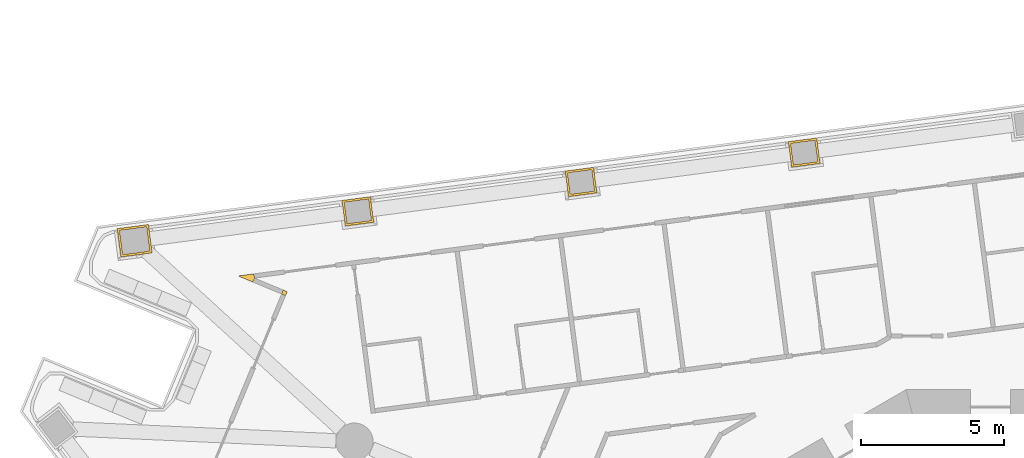
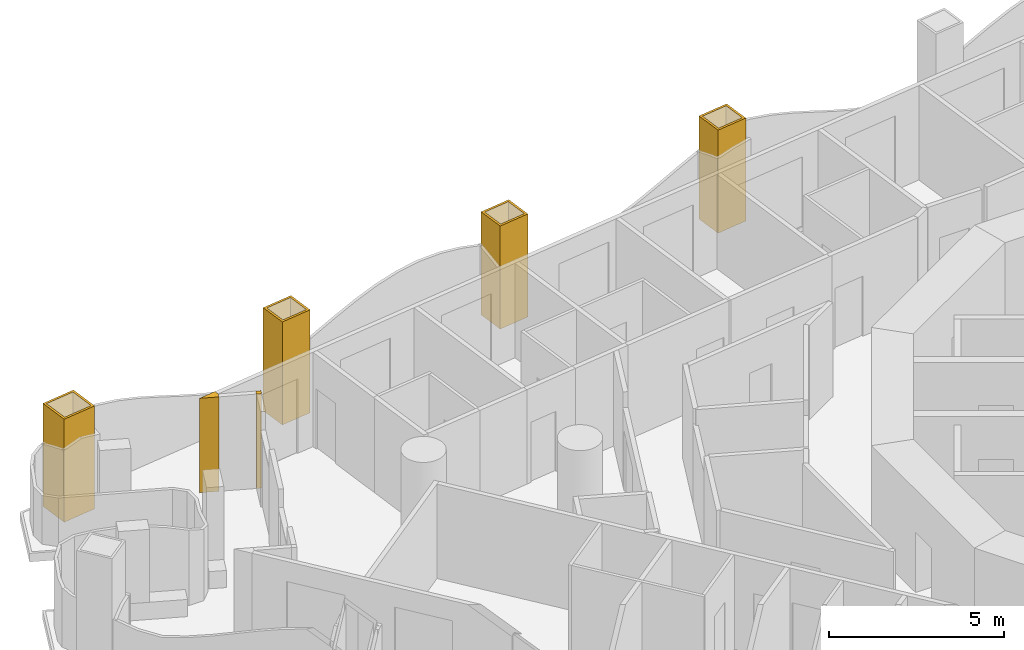
# One storey, part 16 of 19: 6 coverings.
"""IFC4 building model written with IfcOpenShell, lengths in metres."""

from ifc_helpers import new_model, si_unit, direction, frame, origin, place, context, subcontext, project, spatial, polyline, outline, extrude, material, layer, layer_set, type_object, element, save


model = new_model("IFC4")

# Units and contexts
model_context = context("Model", 3, precision=1e-05, world=origin(), true_north=direction((0.0, 1.0)))
body_context = subcontext(model_context, "Body", "Model", "MODEL_VIEW")
ifc_project = project(units=[si_unit("LENGTHUNIT", "METRE"), si_unit("AREAUNIT", "SQUARE_METRE"), si_unit("VOLUMEUNIT", "CUBIC_METRE"), si_unit("PLANEANGLEUNIT", "RADIAN"), si_unit("MASSUNIT", "GRAM", prefix="KILO")], contexts=[model_context])

# Site, building, storey
site_placement = place(None, origin())
site = spatial("IfcSite", under=ifc_project, at=site_placement, CompositionType="ELEMENT")
building_placement = place(site_placement, origin())
building = spatial("IfcBuilding", under=site, at=building_placement, Name="Trine Commons Tower", CompositionType="ELEMENT")
storey_placement = place(building_placement, frame((0.0, 0.0, 57.60009765625)))
storey = spatial("IfcBuildingStorey", under=building, at=storey_placement, Name="L13", CompositionType="ELEMENT", Elevation=57.60009765625)

# Coverings
ifc_material_1 = material(Name="Aluminium-framed insulated wall panel", Category="aluminium")
ifc_layer_1 = layer(ifc_material_1, 0.14990234375)
ifc_layer_set_1 = layer_set([ifc_layer_1], Name="Aluminium-framed insulated wall panel")
covering_type_1 = type_object("IfcCoveringType", Name="Glazing corner post, aluminium", PredefinedType="CLADDING", material=ifc_layer_set_1)
covering_1_placement = place(storey_placement, origin())
element("IfcCovering", 1, at=covering_1_placement, inside=storey, type_object=covering_type_1, Name="Glazing corner post 2-03", PredefinedType="CLADDING", context=body_context, shape_type="SweptSolid", body=[
    extrude(outline(polyline([(55.384521484375, 76.79833984375), (55.44189453125, 76.93701171875), (55.30322265625, 76.994384765625), (55.245849609375, 76.855712890625), (55.384521484375, 76.79833984375)])), origin(), (0.0, 0.0, 1.0), 3.2998046875),
])
covering_2_placement = place(storey_placement, origin())
element("IfcCovering", 2, at=covering_2_placement, inside=storey, type_object=covering_type_1, Name="Glazing corner post 2-04", PredefinedType="CLADDING", context=body_context, shape_type="SweptSolid", body=[
    extrude(outline(polyline([(54.242919921875, 77.271240234375), (54.30029296875, 77.409912109375), (54.280517578125, 77.55859375), (53.7255859375, 77.485595703125), (54.242919921875, 77.271240234375)])), origin(), (0.0, 0.0, 1.0), 3.2998046875),
])
ifc_material_2 = material(Name="Limestone, honed", Category="masonry")
ifc_layer_2 = layer(ifc_material_2, 0.074951171875)
ifc_layer_set_2 = layer_set([ifc_layer_2], Name="Limestone, honed")
covering_type_2 = type_object("IfcCoveringType", Name="Limestone column cladding 75", PredefinedType="CLADDING", material=ifc_layer_set_2)
covering_3_placement = place(storey_placement, origin())
element("IfcCovering", 3, at=covering_3_placement, inside=storey, type_object=covering_type_2, Name="Limestone pier cladding 2-09", PredefinedType="CLADDING", context=body_context, shape_type="SweptSolid", body=[
    extrude(outline(polyline([(50.726806640625, 78.291015625), (50.59619140625, 79.2822265625), (49.505615234375, 79.138671875), (49.635986328125, 78.147216796875), (50.726806640625, 78.291015625)]), holes=[polyline([(50.642578125, 78.35546875), (50.531494140625, 79.1982421875), (49.589599609375, 79.07421875), (49.70068359375, 78.2314453125), (50.642578125, 78.35546875)])]), origin(), (0.0, 0.0, 1.0), 3.599853515625),
])
covering_4_placement = place(storey_placement, origin())
element("IfcCovering", 4, at=covering_4_placement, inside=storey, type_object=covering_type_2, Name="Limestone pier cladding 2-10", PredefinedType="CLADDING", context=body_context, shape_type="SweptSolid", body=[
    extrude(outline(polyline([(58.4638671875, 79.360107421875), (58.34619140625, 80.252197265625), (57.354736328125, 80.121826171875), (57.472412109375, 79.2294921875), (58.4638671875, 79.360107421875)]), holes=[polyline([(58.379638671875, 79.424560546875), (58.28173828125, 80.168212890625), (57.43896484375, 80.05712890625), (57.536865234375, 79.313720703125), (58.379638671875, 79.424560546875)])]), origin(), (0.0, 0.0, 1.0), 3.599853515625),
])
covering_5_placement = place(storey_placement, origin())
element("IfcCovering", 5, at=covering_5_placement, inside=storey, type_object=covering_type_2, Name="Limestone pier cladding 2-11", PredefinedType="CLADDING", context=body_context, shape_type="SweptSolid", body=[
    extrude(outline(polyline([(66.257080078125, 80.385986328125), (66.1396484375, 81.2783203125), (65.148193359375, 81.147705078125), (65.265625, 80.255615234375), (66.257080078125, 80.385986328125)]), holes=[polyline([(66.1728515625, 80.45068359375), (66.074951171875, 81.194091796875), (65.232421875, 81.083251953125), (65.330078125, 80.339599609375), (66.1728515625, 80.45068359375)])]), origin(), (0.0, 0.0, 1.0), 3.599853515625),
])
covering_6_placement = place(storey_placement, origin())
element("IfcCovering", 6, at=covering_6_placement, inside=storey, type_object=covering_type_2, Name="Limestone pier cladding 2-12", PredefinedType="CLADDING", context=body_context, shape_type="SweptSolid", body=[
    extrude(outline(polyline([(74.05029296875, 81.412109375), (73.932861328125, 82.30419921875), (72.94140625, 82.173828125), (73.058837890625, 81.281494140625), (74.05029296875, 81.412109375)]), holes=[polyline([(73.96630859375, 81.4765625), (73.868408203125, 82.22021484375), (73.025634765625, 82.109130859375), (73.12353515625, 81.365478515625), (73.96630859375, 81.4765625)])]), origin(), (0.0, 0.0, 1.0), 3.599853515625),
])

save(model, "model.ifc")
